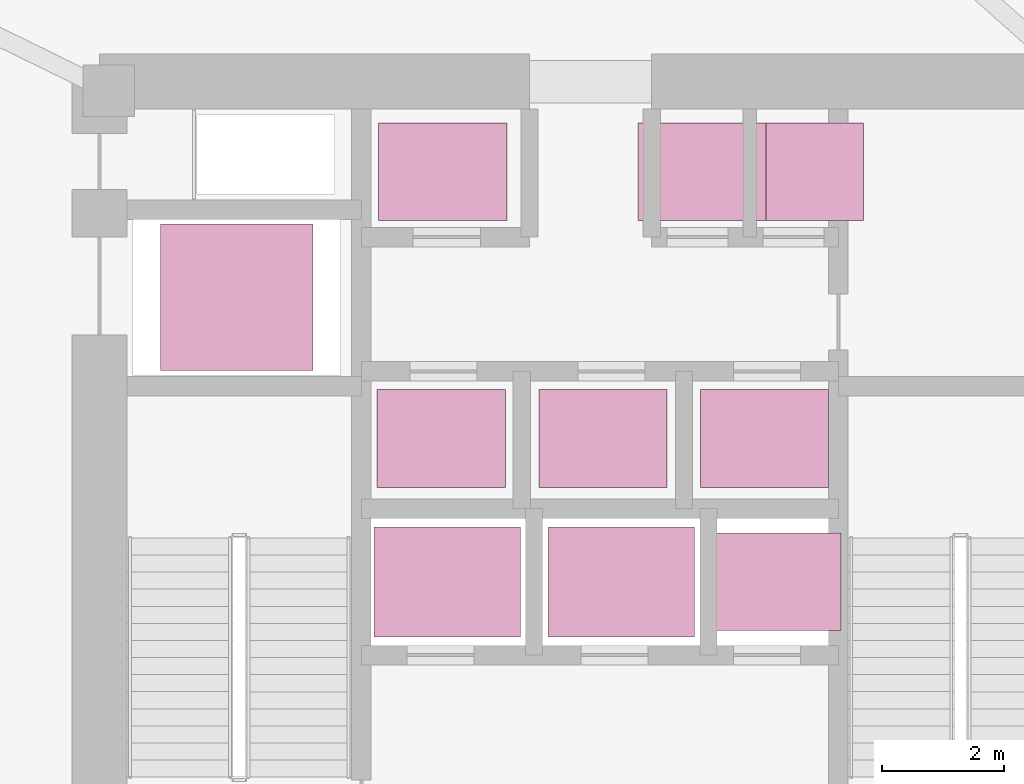
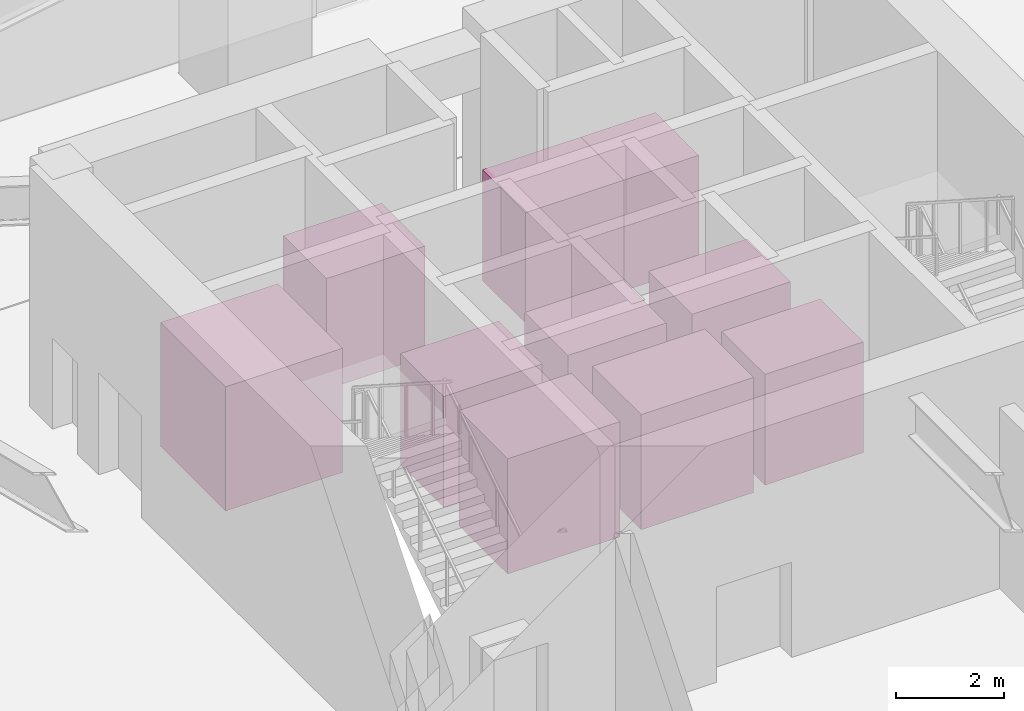
# One storey, part 19 of 19: 10 transport elements.
"""IFC4 building model written with IfcOpenShell, lengths in metres."""

from ifc_helpers import new_model, si_unit, direction, frame, origin, origin_2d, place, context, subcontext, project, spatial, rectangle, extrude, material, type_object, element, save


model = new_model("IFC4")

# Units and contexts
model_context = context("Model", 3, precision=1e-05, world=origin(), true_north=direction((0.0, 1.0)))
body_context = subcontext(model_context, "Body", "Model", "MODEL_VIEW")
ifc_project = project(units=[si_unit("LENGTHUNIT", "METRE"), si_unit("AREAUNIT", "SQUARE_METRE"), si_unit("VOLUMEUNIT", "CUBIC_METRE"), si_unit("PLANEANGLEUNIT", "RADIAN"), si_unit("MASSUNIT", "GRAM", prefix="KILO")], contexts=[model_context])

# Site, building, storey
site_placement = place(None, origin())
site = spatial("IfcSite", under=ifc_project, at=site_placement, CompositionType="ELEMENT")
building_placement = place(site_placement, origin())
building = spatial("IfcBuilding", under=site, at=building_placement, Name="Talyreon Biosciences Tower", CompositionType="ELEMENT")
storey_placement = place(building_placement, origin())
storey = spatial("IfcBuildingStorey", under=building, at=storey_placement, Name="L00", CompositionType="ELEMENT", Elevation=0.0)

# Transport elements
ifc_material_1 = material(Name="Fire-rated stainless-steel elevator cab", Category="steel")
transport_element_type_1 = type_object("IfcTransportElementType", Name="FirefightingElevatorCar_2400x1800", PredefinedType="ELEVATOR", material=ifc_material_1)
for number, where, z_axis, x_axis, name in (
    (1, (63.5, 66.60009765625, 0.0), (0.0, 0.0, 1.0), (1.0, 0.0, 0.0), "Elevator Car FL1"),
    (2, (66.35009765625, 66.60009765625, 0.0), (0.0, 0.0, 1.0), (1.0, 0.0, 0.0), "Elevator Car FL2"),
):
    element("IfcTransportElement", number, at=place(storey_placement, frame(where, z_axis=z_axis, x_axis=x_axis)), inside=storey, type_object=transport_element_type_1, Name=name, PredefinedType="ELEVATOR", context=body_context, shape_type="SweptSolid", body=[
        extrude(rectangle(XDim=2.39990234375, YDim=1.800048828125, at=origin_2d()), origin(), (0.0, 0.0, 1.0), 2.60009765625),
    ])
ifc_material_2 = material(Name="Heavy-duty stainless-steel freight elevator cab", Category="steel")
transport_element_type_2 = type_object("IfcTransportElementType", Name="GoodsHazmatElevatorCar_2500x2400", PredefinedType="ELEVATOR", material=ifc_material_2)
transport_element_placement = place(storey_placement, frame((60.050048828125, 71.264892578125, 0.0), z_axis=(0.0, 0.0, 1.0), x_axis=(1.0, 0.0, 0.0)))
element("IfcTransportElement", 3, at=transport_element_placement, inside=storey, type_object=transport_element_type_2, Name="Elevator Car GL1", PredefinedType="ELEVATOR", context=body_context, shape_type="SweptSolid", body=[
    extrude(rectangle(XDim=2.5, YDim=2.39990234375, at=origin_2d()), origin(), (0.0, 0.0, 1.0), 2.800048828125),
])
ifc_material_3 = material(Name="Brushed stainless-steel passenger elevator cab", Category="steel")
transport_element_type_3 = type_object("IfcTransportElementType", Name="PassengerElevatorCar_2100x1600", PredefinedType="ELEVATOR", material=ifc_material_3)
for number, where, z_axis, x_axis, name in (
    (4, (63.39990234375, 68.949951171875, 0.0), (0.0, 0.0, 1.0), (1.0, 0.0, 0.0), "Elevator Car PL1"),
    (5, (66.050048828125, 68.949951171875, 0.0), (0.0, 0.0, 1.0), (1.0, 0.0, 0.0), "Elevator Car PL2"),
    (6, (68.699951171875, 68.949951171875, 0.0), (0.0, 0.0, 1.0), (1.0, 0.0, 0.0), "Elevator Car PM1"),
    (7, (63.425048828125, 73.324951171875, 0.0), (0.0, 0.0, 1.0), (1.0, 0.0, 0.0), "Elevator Car PM2"),
    (8, (67.675048828125, 73.324951171875, 0.0), (0.0, 0.0, 1.0), (1.0, 0.0, 0.0), "Elevator Car PH1"),
    (9, (69.27001953125, 73.324951171875, 0.0), (0.0, 0.0, 1.0), (1.0, 0.0, 0.0), "Elevator Car PH2"),
    (10, (68.89990234375, 66.60009765625, 0.0), (0.0, 0.0, 1.0), (1.0, 0.0, 0.0), "Elevator Car PK1"),
):
    element("IfcTransportElement", number, at=place(storey_placement, frame(where, z_axis=z_axis, x_axis=x_axis)), inside=storey, type_object=transport_element_type_3, Name=name, PredefinedType="ELEVATOR", context=body_context, shape_type="SweptSolid", body=[
        extrude(rectangle(XDim=2.10009765625, YDim=1.60009765625, at=origin_2d()), origin(), (0.0, 0.0, 1.0), 2.5),
    ])

save(model, "model.ifc")
